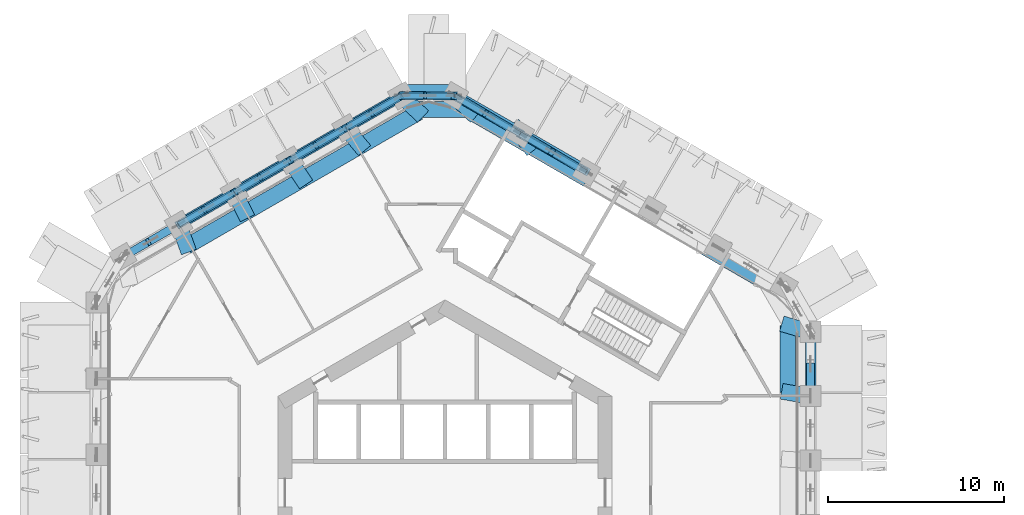
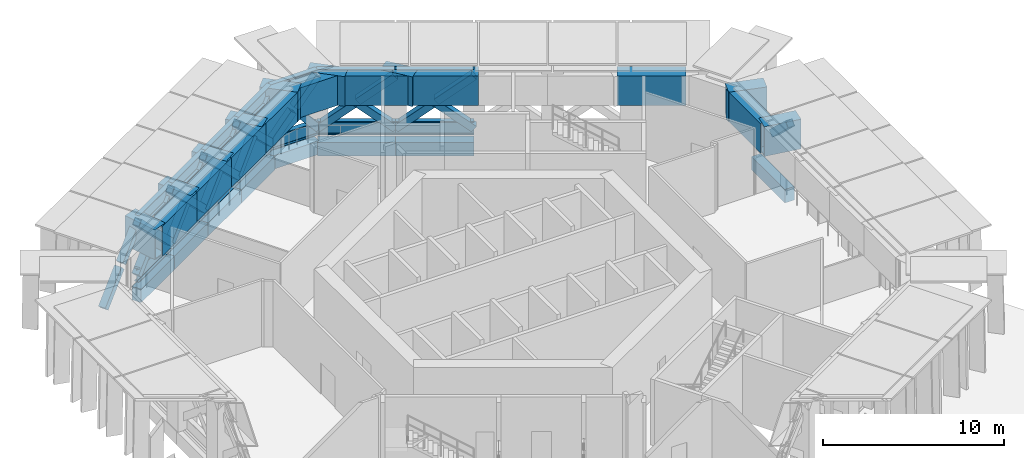
# One storey, part 4 of 16: 38 members, 26 beams.
"""IFC4 building model written with IfcOpenShell, lengths in metres."""

from ifc_helpers import new_model, si_unit, direction, frame, origin, origin_2d, place, context, subcontext, project, spatial, rectangle, hollow_rectangle, i_section, extrude, material, material_profile, profile_set, type_object, element, save


model = new_model("IFC4")

# Units and contexts
model_context = context("Model", 3, precision=1e-05, world=origin(), true_north=direction((0.0, 1.0)))
body_context = subcontext(model_context, "Body", "Model", "MODEL_VIEW")
ifc_project = project(units=[si_unit("LENGTHUNIT", "METRE"), si_unit("AREAUNIT", "SQUARE_METRE"), si_unit("VOLUMEUNIT", "CUBIC_METRE"), si_unit("PLANEANGLEUNIT", "RADIAN"), si_unit("MASSUNIT", "GRAM", prefix="KILO")], contexts=[model_context])

# Site, building, storey
site_placement = place(None, origin())
site = spatial("IfcSite", under=ifc_project, at=site_placement, CompositionType="ELEMENT")
building_placement = place(site_placement, origin())
building = spatial("IfcBuilding", under=site, at=building_placement, Name="Ayvan Gate Tower", CompositionType="ELEMENT")
storey_placement = place(building_placement, frame((0.0, 0.0, 78.300048828125)))
storey = spatial("IfcBuildingStorey", under=building, at=storey_placement, Name="L20", CompositionType="ELEMENT", Elevation=78.300048828125)

# Members
ifc_material_1 = material(Name="Steel S460ML", Category="steel")
ifc_material_profile_1 = material_profile(ifc_material_1, hollow_rectangle(XDim=0.449951171875, YDim=0.449951171875, WallThickness=0.02490234375, at=origin_2d()), Name="BOX 450x450x25")
ifc_profile_set_1 = profile_set([ifc_material_profile_1], Name="Steel S460ML")
member_type_1 = type_object("IfcMemberType", Name="Belt truss brace BT1 BOX 450x450x25", PredefinedType="BRACE", material=ifc_profile_set_1)
member_1_placement = place(storey_placement, frame((20.78466796875, 7.236572265625, 2.318359375), z_axis=(0.0, -0.723546627651, 0.690275508485), x_axis=(1.0, 0.0, 0.0)))
element("IfcMember", 1, at=member_1_placement, inside=storey, type_object=member_type_1, Name="BT1-DC-5", PredefinedType="BRACE", context=body_context, shape_type="SweptSolid", body=[
    extrude(hollow_rectangle(XDim=0.449951171875, YDim=0.449951171875, WallThickness=0.02490234375, at=origin_2d()), origin(), (0.0, 0.0, 1.0), 2.436279296875),
])
member_2_placement = place(storey_placement, frame((8.05615234375, 18.275390625, 0.449951171875), z_axis=(-0.676018533511, 0.37756770933, 0.632804525285), x_axis=(-0.487617279632, -0.873057494444, 0.0)))
element("IfcMember", 2, at=member_2_placement, inside=storey, type_object=member_type_1, Name="BT1-DA-10", PredefinedType="BRACE", context=body_context, shape_type="SweptSolid", body=[
    extrude(hollow_rectangle(XDim=0.449951171875, YDim=0.449951171875, WallThickness=0.02490234375, at=origin_2d()), origin(), (0.0, 0.0, 1.0), 5.610107421875),
])
member_3_placement = place(storey_placement, frame((4.313232421875, 20.4365234375, 0.449951171875), z_axis=(0.663152688581, -0.395688753006, 0.635341579288), x_axis=(0.512396722591, 0.85874885658, 0.0)))
element("IfcMember", 3, at=member_3_placement, inside=storey, type_object=member_type_1, Name="BT1-DB-10", PredefinedType="BRACE", context=body_context, shape_type="SweptSolid", body=[
    extrude(hollow_rectangle(XDim=0.449951171875, YDim=0.449951171875, WallThickness=0.02490234375, at=origin_2d()), origin(), (0.0, 0.0, 1.0), 2.659912109375),
])
member_4_placement = place(storey_placement, frame((6.2490234375, 19.281494140625, 2.30419921875), z_axis=(0.663148828441, -0.39569404577, 0.635342312048), x_axis=(0.512403976475, 0.858744528304, 0.0)))
element("IfcMember", 4, at=member_4_placement, inside=storey, type_object=member_type_1, Name="BT1-DC-10", PredefinedType="BRACE", context=body_context, shape_type="SweptSolid", body=[
    extrude(hollow_rectangle(XDim=0.449951171875, YDim=0.449951171875, WallThickness=0.02490234375, at=origin_2d()), origin(), (0.0, 0.0, 1.0), 2.669189453125),
])
member_5_placement = place(storey_placement, frame((4.313232421875, 20.4365234375, 0.449951171875), z_axis=(-0.676886525936, 0.378055718798, 0.631584123051), x_axis=(-0.487620446408, -0.873055725738, 0.0)))
element("IfcMember", 5, at=member_5_placement, inside=storey, type_object=member_type_1, Name="BT1-DA-11", PredefinedType="BRACE", context=body_context, shape_type="SweptSolid", body=[
    extrude(hollow_rectangle(XDim=0.449951171875, YDim=0.449951171875, WallThickness=0.02490234375, at=origin_2d()), origin(), (0.0, 0.0, 1.0), 5.620849609375),
])
member_6_placement = place(storey_placement, frame((0.570556640625, 22.597412109375, 0.449951171875), z_axis=(0.662240265456, -0.395228669537, 0.636578455169), x_axis=(0.512477367609, 0.858700732321, 0.0)))
element("IfcMember", 6, at=member_6_placement, inside=storey, type_object=member_type_1, Name="BT1-DB-11", PredefinedType="BRACE", context=body_context, shape_type="SweptSolid", body=[
    extrude(hollow_rectangle(XDim=0.449951171875, YDim=0.449951171875, WallThickness=0.02490234375, at=origin_2d()), origin(), (0.0, 0.0, 1.0), 2.654296875),
])
member_7_placement = place(storey_placement, frame((2.499755859375, 21.446044921875, 2.304443359375), z_axis=(0.662263546565, -0.395158221348, 0.636597969674), x_axis=(0.512396722591, 0.85874885658, 0.0)))
element("IfcMember", 7, at=member_7_placement, inside=storey, type_object=member_type_1, Name="BT1-DC-11", PredefinedType="BRACE", context=body_context, shape_type="SweptSolid", body=[
    extrude(hollow_rectangle(XDim=0.449951171875, YDim=0.449951171875, WallThickness=0.02490234375, at=origin_2d()), origin(), (0.0, 0.0, 1.0), 2.66357421875),
])
member_8_placement = place(storey_placement, frame((0.570556640625, 22.597412109375, 0.449951171875), z_axis=(-0.653119282709, -0.007654962092, 0.757216352246), x_axis=(0.011719813756, -0.999931320624, 0.0)))
element("IfcMember", 8, at=member_8_placement, inside=storey, type_object=member_type_1, Name="BT1-DA-12", PredefinedType="BRACE", context=body_context, shape_type="SweptSolid", body=[
    extrude(hollow_rectangle(XDim=0.449951171875, YDim=0.449951171875, WallThickness=0.02490234375, at=origin_2d()), origin(), (0.0, 0.0, 1.0), 4.688232421875),
])
for number, where, z_axis, x_axis, name in (
    (9, (-2.429443359375, 22.597412109375, 0.449951171875), (0.637534828452, -0.007741975214, 0.770382635014), (0.012142716111, 0.999926274505, 0.0), "BT1-DB-12"),
    (10, (-0.878662109375, 22.578369140625, 2.32373046875), (0.637534828452, -0.007741975214, 0.770382635014), (0.012142716111, 0.999926274505, 0.0), "BT1-DC-12"),
):
    element("IfcMember", number, at=place(storey_placement, frame(where, z_axis=z_axis, x_axis=x_axis)), inside=storey, type_object=member_type_1, Name=name, PredefinedType="BRACE", context=body_context, shape_type="SweptSolid", body=[
        extrude(hollow_rectangle(XDim=0.449951171875, YDim=0.449951171875, WallThickness=0.02490234375, at=origin_2d()), origin(), (0.0, 0.0, 1.0), 2.17578125),
    ])
member_9_placement = place(storey_placement, frame((-2.429443359375, 22.597412109375, 0.449951171875), z_axis=(-0.626584594899, -0.361785074454, 0.69029218838), x_axis=(0.500027251449, -0.866009669581, 0.0)))
element("IfcMember", 11, at=member_9_placement, inside=storey, type_object=member_type_1, Name="BT1-DA-13", PredefinedType="BRACE", context=body_context, shape_type="SweptSolid", body=[
    extrude(hollow_rectangle(XDim=0.449951171875, YDim=0.449951171875, WallThickness=0.02490234375, at=origin_2d()), origin(), (0.0, 0.0, 1.0), 5.142822265625),
])
member_10_placement = place(storey_placement, frame((-5.614501953125, 20.75830078125, 0.449951171875), z_axis=(0.617182078727, 0.356358202705, 0.70149491307), x_axis=(-0.500029427677, 0.866008413041, 0.0)))
element("IfcMember", 12, at=member_10_placement, inside=storey, type_object=member_type_1, Name="BT1-DB-13", PredefinedType="BRACE", context=body_context, shape_type="SweptSolid", body=[
    extrude(hollow_rectangle(XDim=0.449951171875, YDim=0.449951171875, WallThickness=0.02490234375, at=origin_2d()), origin(), (0.0, 0.0, 1.0), 2.4150390625),
])
member_11_placement = place(storey_placement, frame((-3.9697265625, 21.7080078125, 2.319580078125), z_axis=(0.61714834978, 0.356325455133, 0.701541220733), x_axis=(-0.500015459501, 0.866016478054, 0.0)))
element("IfcMember", 13, at=member_11_placement, inside=storey, type_object=member_type_1, Name="BT1-DC-13", PredefinedType="BRACE", context=body_context, shape_type="SweptSolid", body=[
    extrude(hollow_rectangle(XDim=0.449951171875, YDim=0.449951171875, WallThickness=0.02490234375, at=origin_2d()), origin(), (0.0, 0.0, 1.0), 2.395263671875),
])
member_12_placement = place(storey_placement, frame((-5.614501953125, 20.75830078125, 0.449951171875), z_axis=(-0.62427509274, -0.360398868153, 0.693104079066), x_axis=(0.499972401965, -0.866041336931, 0.0)))
element("IfcMember", 14, at=member_12_placement, inside=storey, type_object=member_type_1, Name="BT1-DA-14", PredefinedType="BRACE", context=body_context, shape_type="SweptSolid", body=[
    extrude(hollow_rectangle(XDim=0.449951171875, YDim=0.449951171875, WallThickness=0.02490234375, at=origin_2d()), origin(), (0.0, 0.0, 1.0), 5.1220703125),
])
member_13_placement = place(storey_placement, frame((-8.7998046875, 18.91943359375, 0.449951171875), z_axis=(0.619563969689, 0.357746604106, 0.69868294291), x_axis=(-0.500043168532, 0.866000478986, 0.0)))
element("IfcMember", 15, at=member_13_placement, inside=storey, type_object=member_type_1, Name="BT1-DB-14", PredefinedType="BRACE", context=body_context, shape_type="SweptSolid", body=[
    extrude(hollow_rectangle(XDim=0.449951171875, YDim=0.449951171875, WallThickness=0.02490234375, at=origin_2d()), origin(), (0.0, 0.0, 1.0), 2.42529296875),
])
member_14_placement = place(storey_placement, frame((-7.14208984375, 19.87646484375, 2.3193359375), z_axis=(0.61955385176, 0.357684759765, 0.698723577247), x_axis=(-0.49998445949, 0.866034375916, 0.0)))
element("IfcMember", 16, at=member_14_placement, inside=storey, type_object=member_type_1, Name="BT1-DC-14", PredefinedType="BRACE", context=body_context, shape_type="SweptSolid", body=[
    extrude(hollow_rectangle(XDim=0.449951171875, YDim=0.449951171875, WallThickness=0.02490234375, at=origin_2d()), origin(), (0.0, 0.0, 1.0), 2.4052734375),
])
member_15_placement = place(storey_placement, frame((-8.7998046875, 18.91943359375, 0.449951171875), z_axis=(-0.621915779083, -0.359079191263, 0.695904374271), x_axis=(0.500016656394, -0.866015786997, 0.0)))
element("IfcMember", 17, at=member_15_placement, inside=storey, type_object=member_type_1, Name="BT1-DA-15", PredefinedType="BRACE", context=body_context, shape_type="SweptSolid", body=[
    extrude(hollow_rectangle(XDim=0.449951171875, YDim=0.449951171875, WallThickness=0.02490234375, at=origin_2d()), origin(), (0.0, 0.0, 1.0), 5.101318359375),
])
member_16_placement = place(storey_placement, frame((-11.98486328125, 17.08056640625, 0.449951171875), z_axis=(0.621920264004, 0.359077753975, 0.695901107788), x_axis=(-0.500012451049, 0.866018215049, 0.0)))
element("IfcMember", 18, at=member_16_placement, inside=storey, type_object=member_type_1, Name="BT1-DB-15", PredefinedType="BRACE", context=body_context, shape_type="SweptSolid", body=[
    extrude(hollow_rectangle(XDim=0.449951171875, YDim=0.449951171875, WallThickness=0.02490234375, at=origin_2d()), origin(), (0.0, 0.0, 1.0), 2.435546875),
])
member_17_placement = place(storey_placement, frame((-10.314453125, 18.044921875, 2.31884765625), z_axis=(0.621925516575, 0.359067494376, 0.695901707367), x_axis=(-0.499998569178, 0.866026229868, 0.0)))
element("IfcMember", 19, at=member_17_placement, inside=storey, type_object=member_type_1, Name="BT1-DC-15", PredefinedType="BRACE", context=body_context, shape_type="SweptSolid", body=[
    extrude(hollow_rectangle(XDim=0.449951171875, YDim=0.449951171875, WallThickness=0.02490234375, at=origin_2d()), origin(), (0.0, 0.0, 1.0), 2.415771484375),
])
member_18_placement = place(storey_placement, frame((-11.98486328125, 17.08056640625, 0.449951171875), z_axis=(-0.619568080226, -0.357690770064, 0.698707883866), x_axis=(0.499982148691, -0.866035709997, 0.0)))
element("IfcMember", 20, at=member_18_placement, inside=storey, type_object=member_type_1, Name="BT1-DA-16", PredefinedType="BRACE", context=body_context, shape_type="SweptSolid", body=[
    extrude(hollow_rectangle(XDim=0.449951171875, YDim=0.449951171875, WallThickness=0.02490234375, at=origin_2d()), origin(), (0.0, 0.0, 1.0), 5.080810546875),
])
member_19_placement = place(storey_placement, frame((-15.169921875, 15.24169921875, 0.449951171875), z_axis=(0.624265641249, 0.360345213449, 0.693140488141), x_axis=(-0.499922248632, 0.866070288904, 0.0)))
element("IfcMember", 21, at=member_19_placement, inside=storey, type_object=member_type_1, Name="BT1-DB-16", PredefinedType="BRACE", context=body_context, shape_type="SweptSolid", body=[
    extrude(hollow_rectangle(XDim=0.449951171875, YDim=0.449951171875, WallThickness=0.02490234375, at=origin_2d()), origin(), (0.0, 0.0, 1.0), 2.44580078125),
])
member_20_placement = place(storey_placement, frame((-13.48681640625, 16.21337890625, 2.318603515625), z_axis=(0.624271959053, 0.360393017148, 0.693109943898), x_axis=(-0.499968196347, 0.866043764853, 0.0)))
element("IfcMember", 22, at=member_20_placement, inside=storey, type_object=member_type_1, Name="BT1-DC-16", PredefinedType="BRACE", context=body_context, shape_type="SweptSolid", body=[
    extrude(hollow_rectangle(XDim=0.449951171875, YDim=0.449951171875, WallThickness=0.02490234375, at=origin_2d()), origin(), (0.0, 0.0, 1.0), 2.42578125),
])
member_21_placement = place(storey_placement, frame((-18.355224609375, 13.402587890625, 0.449951171875), z_axis=(0.626579979584, 0.361794277551, 0.690291554284), x_axis=(-0.500039553057, 0.866002566612, 0.0)))
element("IfcMember", 23, at=member_21_placement, inside=storey, type_object=member_type_1, Name="BT1-DB-17", PredefinedType="BRACE", context=body_context, shape_type="SweptSolid", body=[
    extrude(hollow_rectangle(XDim=0.449951171875, YDim=0.449951171875, WallThickness=0.02490234375, at=origin_2d()), origin(), (0.0, 0.0, 1.0), 2.456298828125),
])
member_22_placement = place(storey_placement, frame((-16.6591796875, 14.3818359375, 2.318359375), z_axis=(0.626566943366, 0.361789293914, 0.690305999025), x_axis=(-0.500042189638, 0.866001044215, 0.0)))
element("IfcMember", 24, at=member_22_placement, inside=storey, type_object=member_type_1, Name="BT1-DC-17", PredefinedType="BRACE", context=body_context, shape_type="SweptSolid", body=[
    extrude(hollow_rectangle(XDim=0.449951171875, YDim=0.449951171875, WallThickness=0.02490234375, at=origin_2d()), origin(), (0.0, 0.0, 1.0), 2.43603515625),
])
ifc_material_profile_2 = material_profile(ifc_material_1, i_section(OverallWidth=0.300048828125, OverallDepth=0.89990234375, WebThickness=0.0185546875, FlangeThickness=0.034912109375, FilletRadius=0.030029296875, at=origin_2d()), Name="HE 900 B")
ifc_profile_set_2 = profile_set([ifc_material_profile_2], Name="Steel S460ML")
member_type_2 = type_object("IfcMemberType", Name="Belt truss chord BT1 HE 900 B", PredefinedType="CHORD", material=ifc_profile_set_2)
member_23_placement = place(storey_placement, frame((8.05615234375, 18.275390625, 0.449951171875), z_axis=(-0.866009675141, 0.50002724182, 0.0), x_axis=(-0.50002724182, -0.866009675141, 0.0)))
element("IfcMember", 25, at=member_23_placement, inside=storey, type_object=member_type_2, Name="BT1-BC-10", PredefinedType="CHORD", context=body_context, shape_type="SweptSolid", body=[
    extrude(i_section(OverallWidth=0.300048828125, OverallDepth=0.89990234375, WebThickness=0.0185546875, FlangeThickness=0.034912109375, FilletRadius=0.030029296875, at=origin_2d()), origin(), (0.0, 0.0, 1.0), 4.322021484375),
])
member_24_placement = place(storey_placement, frame((8.01904296875, 18.225341796875, 4.0), z_axis=(-0.866020572816, 0.500008367389, 0.0), x_axis=(-0.500008367389, -0.866020572816, 0.0)))
element("IfcMember", 26, at=member_24_placement, inside=storey, type_object=member_type_2, Name="BT1-TC-10", PredefinedType="CHORD", context=body_context, shape_type="SweptSolid", body=[
    extrude(i_section(OverallWidth=0.300048828125, OverallDepth=0.89990234375, WebThickness=0.0185546875, FlangeThickness=0.034912109375, FilletRadius=0.030029296875, at=origin_2d()), origin(), (0.0, 0.0, 1.0), 4.33642578125),
])
member_25_placement = place(storey_placement, frame((4.313232421875, 20.4365234375, 0.449951171875), z_axis=(-0.866020013031, 0.500009336943, 0.0), x_axis=(-0.500009336943, -0.866020013031, 0.0)))
element("IfcMember", 27, at=member_25_placement, inside=storey, type_object=member_type_2, Name="BT1-BC-11", PredefinedType="CHORD", context=body_context, shape_type="SweptSolid", body=[
    extrude(i_section(OverallWidth=0.300048828125, OverallDepth=0.89990234375, WebThickness=0.0185546875, FlangeThickness=0.034912109375, FilletRadius=0.030029296875, at=origin_2d()), origin(), (0.0, 0.0, 1.0), 4.32177734375),
])
member_26_placement = place(storey_placement, frame((4.263671875, 20.3935546875, 4.0), z_axis=(-0.866030877007, 0.499990519981, 0.0), x_axis=(-0.499990519981, -0.866030877007, 0.0)))
element("IfcMember", 28, at=member_26_placement, inside=storey, type_object=member_type_2, Name="BT1-TC-11", PredefinedType="CHORD", context=body_context, shape_type="SweptSolid", body=[
    extrude(i_section(OverallWidth=0.300048828125, OverallDepth=0.89990234375, WebThickness=0.0185546875, FlangeThickness=0.034912109375, FilletRadius=0.030029296875, at=origin_2d()), origin(), (0.0, 0.0, 1.0), 4.3359375),
])
for number, where, z_axis, x_axis, name in (
    (29, (0.570556640625, 22.597412109375, 0.449951171875), (-1.0, 0.0, 0.0), (0.0, -1.0, 0.0), "BT1-BC-12"),
    (30, (0.508544921875, 22.5615234375, 4.0), (-1.0, 0.0, 0.0), (0.0, -1.0, 0.0), "BT1-TC-12"),
):
    element("IfcMember", number, at=place(storey_placement, frame(where, z_axis=z_axis, x_axis=x_axis)), inside=storey, type_object=member_type_2, Name=name, PredefinedType="CHORD", context=body_context, shape_type="SweptSolid", body=[
        extrude(i_section(OverallWidth=0.300048828125, OverallDepth=0.89990234375, WebThickness=0.0185546875, FlangeThickness=0.034912109375, FilletRadius=0.030029296875, at=origin_2d()), origin(), (0.0, 0.0, 1.0), 3.0),
    ])
member_27_placement = place(storey_placement, frame((-2.429443359375, 22.597412109375, 0.449951171875), z_axis=(-0.865999867186, -0.500044228078, 0.0), x_axis=(0.500044228078, -0.865999867186, 0.0)))
element("IfcMember", 31, at=member_27_placement, inside=storey, type_object=member_type_2, Name="BT1-BC-13", PredefinedType="CHORD", context=body_context, shape_type="SweptSolid", body=[
    extrude(i_section(OverallWidth=0.300048828125, OverallDepth=0.89990234375, WebThickness=0.0185546875, FlangeThickness=0.034912109375, FilletRadius=0.030029296875, at=origin_2d()), origin(), (0.0, 0.0, 1.0), 3.677978515625),
])
member_28_placement = place(storey_placement, frame((-2.491455078125, 22.5615234375, 4.0), z_axis=(-0.866019587851, -0.500010073357, 0.0), x_axis=(0.500010073357, -0.866019587851, 0.0)))
element("IfcMember", 32, at=member_28_placement, inside=storey, type_object=member_type_2, Name="BT1-TC-13", PredefinedType="CHORD", context=body_context, shape_type="SweptSolid", body=[
    extrude(i_section(OverallWidth=0.300048828125, OverallDepth=0.89990234375, WebThickness=0.0185546875, FlangeThickness=0.034912109375, FilletRadius=0.030029296875, at=origin_2d()), origin(), (0.0, 0.0, 1.0), 3.6494140625),
])
member_29_placement = place(storey_placement, frame((-5.614501953125, 20.75830078125, 0.449951171875), z_axis=(-0.866045205872, -0.499965700209, 0.0), x_axis=(0.499965700209, -0.866045205872, 0.0)))
element("IfcMember", 33, at=member_29_placement, inside=storey, type_object=member_type_2, Name="BT1-BC-14", PredefinedType="CHORD", context=body_context, shape_type="SweptSolid", body=[
    extrude(i_section(OverallWidth=0.300048828125, OverallDepth=0.89990234375, WebThickness=0.0185546875, FlangeThickness=0.034912109375, FilletRadius=0.030029296875, at=origin_2d()), origin(), (0.0, 0.0, 1.0), 3.677978515625),
])
member_30_placement = place(storey_placement, frame((-5.65185546875, 20.73681640625, 4.0), z_axis=(-0.866031831963, -0.499988865904, 0.0), x_axis=(0.499988865904, -0.866031831963, 0.0)))
element("IfcMember", 34, at=member_30_placement, inside=storey, type_object=member_type_2, Name="BT1-TC-14", PredefinedType="CHORD", context=body_context, shape_type="SweptSolid", body=[
    extrude(i_section(OverallWidth=0.300048828125, OverallDepth=0.89990234375, WebThickness=0.0185546875, FlangeThickness=0.034912109375, FilletRadius=0.030029296875, at=origin_2d()), origin(), (0.0, 0.0, 1.0), 3.64892578125),
])
member_31_placement = place(storey_placement, frame((-8.7998046875, 18.91943359375, 0.449951171875), z_axis=(-0.866028611999, -0.499994443168, 0.0), x_axis=(0.499994443168, -0.866028611999, 0.0)))
element("IfcMember", 35, at=member_31_placement, inside=storey, type_object=member_type_2, Name="BT1-BC-15", PredefinedType="CHORD", context=body_context, shape_type="SweptSolid", body=[
    extrude(i_section(OverallWidth=0.300048828125, OverallDepth=0.89990234375, WebThickness=0.0185546875, FlangeThickness=0.034912109375, FilletRadius=0.030029296875, at=origin_2d()), origin(), (0.0, 0.0, 1.0), 3.677734375),
])
member_32_placement = place(storey_placement, frame((-8.81201171875, 18.912353515625, 4.0), z_axis=(-0.866019587851, -0.500010073357, 0.0), x_axis=(0.500010073357, -0.866019587851, 0.0)))
element("IfcMember", 36, at=member_32_placement, inside=storey, type_object=member_type_2, Name="BT1-TC-15", PredefinedType="CHORD", context=body_context, shape_type="SweptSolid", body=[
    extrude(i_section(OverallWidth=0.300048828125, OverallDepth=0.89990234375, WebThickness=0.0185546875, FlangeThickness=0.034912109375, FilletRadius=0.030029296875, at=origin_2d()), origin(), (0.0, 0.0, 1.0), 3.6494140625),
])
member_33_placement = place(storey_placement, frame((-11.98486328125, 17.08056640625, 0.449951171875), z_axis=(-0.866028611999, -0.499994443168, 0.0), x_axis=(0.499994443168, -0.866028611999, 0.0)))
element("IfcMember", 37, at=member_33_placement, inside=storey, type_object=member_type_2, Name="BT1-BC-16", PredefinedType="CHORD", context=body_context, shape_type="SweptSolid", body=[
    extrude(i_section(OverallWidth=0.300048828125, OverallDepth=0.89990234375, WebThickness=0.0185546875, FlangeThickness=0.034912109375, FilletRadius=0.030029296875, at=origin_2d()), origin(), (0.0, 0.0, 1.0), 3.677734375),
])
member_34_placement = place(storey_placement, frame((-11.972412109375, 17.087646484375, 4.0), z_axis=(-0.866048556275, -0.499959896566, 0.0), x_axis=(0.499959896566, -0.866048556275, 0.0)))
element("IfcMember", 38, at=member_34_placement, inside=storey, type_object=member_type_2, Name="BT1-TC-16", PredefinedType="CHORD", context=body_context, shape_type="SweptSolid", body=[
    extrude(i_section(OverallWidth=0.300048828125, OverallDepth=0.89990234375, WebThickness=0.0185546875, FlangeThickness=0.034912109375, FilletRadius=0.030029296875, at=origin_2d()), origin(), (0.0, 0.0, 1.0), 3.649169921875),
])

# Beams
ifc_material_2 = material(Name="Concrete C40/50", Category="concrete")
ifc_material_profile_3 = material_profile(ifc_material_2, rectangle(XDim=0.800048828125, YDim=0.89990234375, at=origin_2d()), Name="RC 800x900")
ifc_profile_set_3 = profile_set([ifc_material_profile_3], Name="Concrete C40/50")
beam_type_1 = type_object("IfcBeamType", Name="Corner spandrel beam RC 800x900 C40/50", PredefinedType="BEAM", material=ifc_profile_set_3)
beam_1_placement = place(storey_placement, frame((0.59326171875, 22.830322265625, -0.85009765625), z_axis=(-1.0, 0.0, 0.0), x_axis=(0.0, -1.0, 0.0)))
element("IfcBeam", 39, at=beam_1_placement, inside=storey, type_object=beam_type_1, Name="SB-L20-12", PredefinedType="BEAM", context=body_context, shape_type="SweptSolid", body=[
    extrude(rectangle(XDim=0.800048828125, YDim=0.89990234375, at=origin_2d()), origin(), (0.0, 0.0, 1.0), 3.0),
])
ifc_material_profile_4 = material_profile(ifc_material_2, rectangle(XDim=0.60009765625, YDim=0.89990234375, at=origin_2d()), Name="RC 600x900")
ifc_profile_set_4 = profile_set([ifc_material_profile_4], Name="Concrete C40/50")
beam_type_2 = type_object("IfcBeamType", Name="Spandrel beam RC 600x900 C40/50", PredefinedType="BEAM", material=ifc_profile_set_4)
beam_2_placement = place(storey_placement, frame((20.78466796875, 5.532470703125, -0.85009765625), z_axis=(0.0, 1.0, 0.0), x_axis=(-1.0, 0.0, 0.0)))
element("IfcBeam", 40, at=beam_2_placement, inside=storey, type_object=beam_type_2, Name="SB-L20-5", PredefinedType="BEAM", context=body_context, shape_type="SweptSolid", body=[
    extrude(rectangle(XDim=0.60009765625, YDim=0.89990234375, at=origin_2d()), origin(), (0.0, 0.0, 1.0), 3.6884765625),
])
for number, where, z_axis, x_axis, name in (
    (41, (8.06982421875, 18.2939453125, -0.85009765625), (-0.866034889475, 0.499983569942, 0.0), (-0.499983569942, -0.866034889475, 0.0), "SB-L20-10"),
    (42, (4.33154296875, 20.4521484375, -0.85009765625), (-0.866034889475, 0.499983569942, 0.0), (-0.499983569942, -0.866034889475, 0.0), "SB-L20-11"),
):
    element("IfcBeam", number, at=place(storey_placement, frame(where, z_axis=z_axis, x_axis=x_axis)), inside=storey, type_object=beam_type_2, Name=name, PredefinedType="BEAM", context=body_context, shape_type="SweptSolid", body=[
        extrude(rectangle(XDim=0.60009765625, YDim=0.89990234375, at=origin_2d()), origin(), (0.0, 0.0, 1.0), 4.316650390625),
    ])
beam_3_placement = place(storey_placement, frame((-2.40673828125, 22.6103515625, -0.85009765625), z_axis=(-0.866055523696, -0.499947827154, 0.0), x_axis=(0.499947827154, -0.866055523696, 0.0)))
element("IfcBeam", 43, at=beam_3_placement, inside=storey, type_object=beam_type_2, Name="SB-L20-13", PredefinedType="BEAM", context=body_context, shape_type="SweptSolid", body=[
    extrude(rectangle(XDim=0.60009765625, YDim=0.89990234375, at=origin_2d()), origin(), (0.0, 0.0, 1.0), 3.6884765625),
])
beam_4_placement = place(storey_placement, frame((-5.60107421875, 20.766357421875, -0.85009765625), z_axis=(-0.866010314562, -0.500026134388, 0.0), x_axis=(0.500026134388, -0.866010314562, 0.0)))
element("IfcBeam", 44, at=beam_4_placement, inside=storey, type_object=beam_type_2, Name="SB-L20-14", PredefinedType="BEAM", context=body_context, shape_type="SweptSolid", body=[
    extrude(rectangle(XDim=0.60009765625, YDim=0.89990234375, at=origin_2d()), origin(), (0.0, 0.0, 1.0), 3.688232421875),
])
beam_5_placement = place(storey_placement, frame((-8.795166015625, 18.922119140625, -0.85009765625), z_axis=(-0.866026863259, -0.499997472108, 0.0), x_axis=(0.499997472108, -0.866026863259, 0.0)))
element("IfcBeam", 45, at=beam_5_placement, inside=storey, type_object=beam_type_2, Name="SB-L20-15", PredefinedType="BEAM", context=body_context, shape_type="SweptSolid", body=[
    extrude(rectangle(XDim=0.60009765625, YDim=0.89990234375, at=origin_2d()), origin(), (0.0, 0.0, 1.0), 3.6884765625),
])
beam_6_placement = place(storey_placement, frame((-11.989501953125, 17.077880859375, -0.85009765625), z_axis=(-0.866010314562, -0.500026134388, 0.0), x_axis=(0.500026134388, -0.866010314562, 0.0)))
element("IfcBeam", 46, at=beam_6_placement, inside=storey, type_object=beam_type_2, Name="SB-L20-16", PredefinedType="BEAM", context=body_context, shape_type="SweptSolid", body=[
    extrude(rectangle(XDim=0.60009765625, YDim=0.89990234375, at=origin_2d()), origin(), (0.0, 0.0, 1.0), 3.688232421875),
])
ifc_material_profile_5 = material_profile(ifc_material_1, hollow_rectangle(XDim=0.89990234375, YDim=2.0, WallThickness=0.06005859375, at=origin_2d()), Name="BOX 900x2000x60")
ifc_profile_set_5 = profile_set([ifc_material_profile_5], Name="Steel S460ML")
beam_type_3 = type_object("IfcBeamType", Name="Transfer ring girder BOX 900x2000x60", PredefinedType="BEAM", material=ifc_profile_set_5)
beam_7_placement = place(storey_placement, frame((19.485595703125, 5.710693359375, 3.449951171875), z_axis=(0.0, 1.0, 0.0), x_axis=(-1.0, 0.0, 0.0)))
element("IfcBeam", 47, at=beam_7_placement, inside=storey, type_object=beam_type_3, Name="TR-L20-5", PredefinedType="BEAM", context=body_context, shape_type="SweptSolid", body=[
    extrude(hollow_rectangle(XDim=0.89990234375, YDim=2.0, WallThickness=0.06005859375, at=origin_2d()), origin(), (0.0, 0.0, 1.0), 3.807373046875),
])
for number, where, z_axis, x_axis, name in (
    (48, (17.985595703125, 12.115966796875, 3.449951171875), (-0.866028607742, 0.499994450542, 0.0), (-0.499994450542, -0.866028607742, 0.0), "TR-L20-7"),
    (49, (8.09423828125, 17.826904296875, 3.449951171875), (-0.866028607742, 0.499994450542, 0.0), (-0.499994450542, -0.866028607742, 0.0), "TR-L20-10"),
    (50, (4.797119140625, 19.73046875, 3.449951171875), (-0.866028607742, 0.499994450542, 0.0), (-0.499994450542, -0.866028607742, 0.0), "TR-L20-11"),
):
    element("IfcBeam", number, at=place(storey_placement, frame(where, z_axis=z_axis, x_axis=x_axis)), inside=storey, type_object=beam_type_3, Name=name, PredefinedType="BEAM", context=body_context, shape_type="SweptSolid", body=[
        extrude(hollow_rectangle(XDim=0.89990234375, YDim=2.0, WallThickness=0.06005859375, at=origin_2d()), origin(), (0.0, 0.0, 1.0), 3.80712890625),
    ])
beam_8_placement = place(storey_placement, frame((1.5, 21.803955078125, 3.449951171875), z_axis=(-1.0, 0.0, 0.0), x_axis=(0.0, -1.0, 0.0)))
element("IfcBeam", 51, at=beam_8_placement, inside=storey, type_object=beam_type_3, Name="TR-L20-12", PredefinedType="BEAM", context=body_context, shape_type="SweptSolid", body=[
    extrude(hollow_rectangle(XDim=0.89990234375, YDim=2.0, WallThickness=0.06005859375, at=origin_2d()), origin(), (0.0, 0.0, 1.0), 3.0),
])
for number, where, z_axis, x_axis, name in (
    (52, (-1.5, 21.634033203125, 3.449951171875), (-0.866028607742, -0.499994450542, 0.0), (0.499994450542, -0.866028607742, 0.0), "TR-L20-13"),
    (53, (-4.797119140625, 19.73046875, 3.449951171875), (-0.866028607742, -0.499994450542, 0.0), (0.499994450542, -0.866028607742, 0.0), "TR-L20-14"),
):
    element("IfcBeam", number, at=place(storey_placement, frame(where, z_axis=z_axis, x_axis=x_axis)), inside=storey, type_object=beam_type_3, Name=name, PredefinedType="BEAM", context=body_context, shape_type="SweptSolid", body=[
        extrude(hollow_rectangle(XDim=0.89990234375, YDim=2.0, WallThickness=0.06005859375, at=origin_2d()), origin(), (0.0, 0.0, 1.0), 3.80712890625),
    ])
beam_9_placement = place(storey_placement, frame((-8.09423828125, 17.826904296875, 3.449951171875), z_axis=(-0.866000839906, -0.500042543472, 0.0), x_axis=(0.500042543472, -0.866000839906, 0.0)))
element("IfcBeam", 54, at=beam_9_placement, inside=storey, type_object=beam_type_3, Name="TR-L20-15", PredefinedType="BEAM", context=body_context, shape_type="SweptSolid", body=[
    extrude(hollow_rectangle(XDim=0.89990234375, YDim=2.0, WallThickness=0.06005859375, at=origin_2d()), origin(), (0.0, 0.0, 1.0), 3.807373046875),
])
beam_10_placement = place(storey_placement, frame((-11.391357421875, 15.923095703125, 3.449951171875), z_axis=(-0.866028607742, -0.499994450542, 0.0), x_axis=(0.499994450542, -0.866028607742, 0.0)))
element("IfcBeam", 55, at=beam_10_placement, inside=storey, type_object=beam_type_3, Name="TR-L20-16", PredefinedType="BEAM", context=body_context, shape_type="SweptSolid", body=[
    extrude(hollow_rectangle(XDim=0.89990234375, YDim=2.0, WallThickness=0.06005859375, at=origin_2d()), origin(), (0.0, 0.0, 1.0), 3.80712890625),
])
beam_11_placement = place(storey_placement, frame((21.267333984375, 5.39501953125, 3.449951171875), z_axis=(-0.984648972751, 0.174546270256, 0.0), x_axis=(-0.174546270256, -0.984648972751, 0.0)))
element("IfcBeam", 56, at=beam_11_placement, inside=storey, type_object=beam_type_3, Name="TS-L20-T0-4", PredefinedType="BEAM", context=body_context, shape_type="SweptSolid", body=[
    extrude(hollow_rectangle(XDim=0.89990234375, YDim=2.0, WallThickness=0.06005859375, at=origin_2d()), origin(), (0.0, 0.0, 1.0), 2.15966796875),
])
beam_12_placement = place(storey_placement, frame((21.238037109375, 9.000244140625, 3.449951171875), z_axis=(-0.959018400524, 0.283343797279, 0.0), x_axis=(-0.283343797279, -0.959018400524, 0.0)))
element("IfcBeam", 57, at=beam_12_placement, inside=storey, type_object=beam_type_3, Name="TS-L20-T0-5", PredefinedType="BEAM", context=body_context, shape_type="SweptSolid", body=[
    extrude(hollow_rectangle(XDim=0.89990234375, YDim=2.0, WallThickness=0.06005859375, at=origin_2d()), origin(), (0.0, 0.0, 1.0), 2.17724609375),
])
beam_13_placement = place(storey_placement, frame((3.82421875, 20.969970703125, 3.449951171875), z_axis=(0.61740154168, -0.786648165529, 0.0), x_axis=(0.786648165529, 0.61740154168, 0.0)))
element("IfcBeam", 58, at=beam_13_placement, inside=storey, type_object=beam_type_3, Name="TS-L20-T1-4", PredefinedType="BEAM", context=body_context, shape_type="SweptSolid", body=[
    extrude(hollow_rectangle(XDim=0.89990234375, YDim=2.0, WallThickness=0.06005859375, at=origin_2d()), origin(), (0.0, 0.0, 1.0), 1.92578125),
])
for number, where, z_axis, x_axis, name in (
    (59, (0.175537109375, 22.892822265625, 3.449951171875), (0.72482023387, -0.688938044074, 0.0), (0.688938044074, 0.72482023387, 0.0), "TS-L20-T1-5"),
    (60, (-2.824462890625, 22.892822265625, 3.449951171875), (0.72482023387, -0.688938044074, 0.0), (0.688938044074, 0.72482023387, 0.0), "TS-L20-T2-0"),
):
    element("IfcBeam", number, at=place(storey_placement, frame(where, z_axis=z_axis, x_axis=x_axis)), inside=storey, type_object=beam_type_3, Name=name, PredefinedType="BEAM", context=body_context, shape_type="SweptSolid", body=[
        extrude(hollow_rectangle(XDim=0.89990234375, YDim=2.0, WallThickness=0.06005859375, at=origin_2d()), origin(), (0.0, 0.0, 1.0), 2.17724609375),
    ])
beam_14_placement = place(storey_placement, frame((-5.961669921875, 21.11572265625, 3.449951171875), z_axis=(0.643425347982, -0.765508864465, 0.0), x_axis=(0.765508864465, 0.643425347982, 0.0)))
element("IfcBeam", 61, at=beam_14_placement, inside=storey, type_object=beam_type_3, Name="TS-L20-T2-1", PredefinedType="BEAM", context=body_context, shape_type="SweptSolid", body=[
    extrude(hollow_rectangle(XDim=0.89990234375, YDim=2.0, WallThickness=0.06005859375, at=origin_2d()), origin(), (0.0, 0.0, 1.0), 2.15966796875),
])
for number, where, z_axis, x_axis, name in (
    (62, (-9.0849609375, 19.330322265625, 3.449951171875), (0.550212636588, -0.835024583194, 0.0), (0.835024583194, 0.550212636588, 0.0), "TS-L20-T2-2"),
    (63, (-12.1982421875, 17.532958984375, 3.449951171875), (0.448076163939, -0.893995386627, 0.0), (0.893995386627, 0.448076163939, 0.0), "TS-L20-T2-3"),
):
    element("IfcBeam", number, at=place(storey_placement, frame(where, z_axis=z_axis, x_axis=x_axis)), inside=storey, type_object=beam_type_3, Name=name, PredefinedType="BEAM", context=body_context, shape_type="SweptSolid", body=[
        extrude(hollow_rectangle(XDim=0.89990234375, YDim=2.0, WallThickness=0.06005859375, at=origin_2d()), origin(), (0.0, 0.0, 1.0), 2.150634765625),
    ])
beam_15_placement = place(storey_placement, frame((-15.305908203125, 15.720703125, 3.449951171875), z_axis=(0.341180235057, -0.939997897448, 0.0), x_axis=(0.939997897448, 0.341180235057, 0.0)))
element("IfcBeam", 64, at=beam_15_placement, inside=storey, type_object=beam_type_3, Name="TS-L20-T2-4", PredefinedType="BEAM", context=body_context, shape_type="SweptSolid", body=[
    extrude(hollow_rectangle(XDim=0.89990234375, YDim=2.0, WallThickness=0.06005859375, at=origin_2d()), origin(), (0.0, 0.0, 1.0), 2.15966796875),
])

save(model, "model.ifc")
